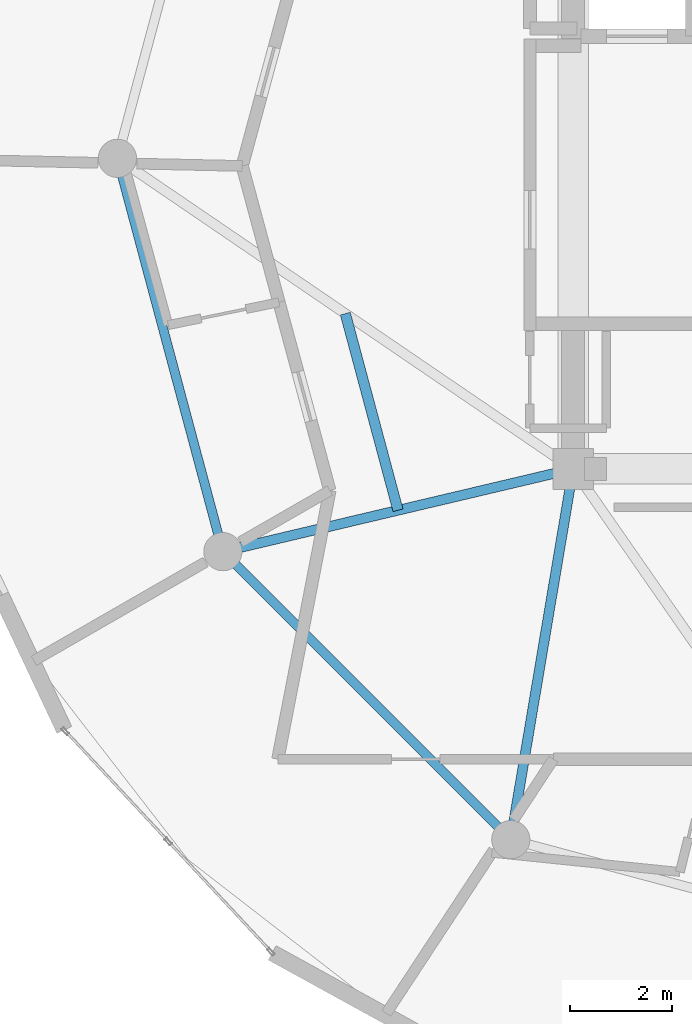
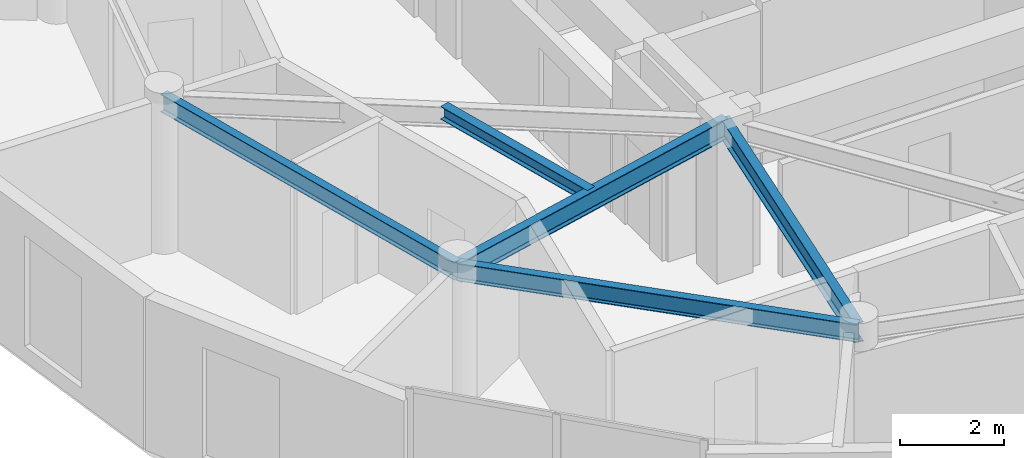
# One storey, part 3 of 23: 5 beams.
"""IFC4 building model written with IfcOpenShell, lengths in metres."""

import ifcopenshell
import ifcopenshell.guid

model = None  # the IFC model being written
_history = None  # IfcOwnerHistory: only IFC2X3 demands one
_inside = {}  # id of a spatial element -> (the spatial element, [elements in it])
_under = {}  # id of a project, library or spatial element -> (it, [spatial elements below it])
_declared = {}  # id of a project -> (the project, [libraries it declares])
_typed = {}  # id of a type object -> (the type object, [elements of that type])
_made_of = {}  # id of a material, layer set ... -> (it, [elements and type objects made of it])


def new_model(schema):
    """Start an empty IFC model of exactly this schema.

    Asked for "IFC4X3", IfcOpenShell would pick the latest addendum, in which some entities
    have other attributes; the version numbers below select the first issue.
    IFC2X3 requires an IfcOwnerHistory on every rooted entity: one is made here for all.
    """
    global model, _history
    if schema == "IFC4X3":
        model = ifcopenshell.file(schema_version=(4, 3, 0, 0))
    else:
        model = ifcopenshell.file(schema=schema)
    _inside.clear()
    _under.clear()
    _declared.clear()
    _typed.clear()
    _made_of.clear()
    _history = None
    if model.schema == "IFC2X3":
        org = make("IfcOrganization", Name="unknown")
        user = make(
            "IfcPersonAndOrganization",
            ThePerson=make("IfcPerson", FamilyName="unknown"),
            TheOrganization=org,
        )
        app = make(
            "IfcApplication",
            ApplicationDeveloper=org,
            Version="unknown",
            ApplicationFullName="unknown",
            ApplicationIdentifier="unknown",
        )
        _history = make(
            "IfcOwnerHistory",
            OwningUser=user,
            OwningApplication=app,
            ChangeAction="ADDED",
            CreationDate=0,
        )
    return model


def make(cls, **values):
    """One entity of the class cls with the attributes given. An attribute that is None is left unset."""
    return model.create_entity(
        cls, **{name: value for name, value in values.items() if value is not None}
    )


def rooted(cls, **values):
    """An entity with a GlobalId (a new one), such as an element, a storey or a relation."""
    return make(cls, GlobalId=ifcopenshell.guid.new(), OwnerHistory=_history, **values)


def si_unit(unit_type, name, prefix=None):
    """IfcSIUnit, for example si_unit("LENGTHUNIT", "METRE", prefix="MILLI")."""
    return make("IfcSIUnit", UnitType=unit_type, Prefix=prefix, Name=name)


def assignment(units):
    """IfcUnitAssignment: the units of a project."""
    return None if units is None else make("IfcUnitAssignment", Units=units)


def point(xyz):
    """IfcCartesianPoint."""
    return None if xyz is None else make("IfcCartesianPoint", Coordinates=xyz)


def direction(xyz):
    """IfcDirection."""
    return None if xyz is None else make("IfcDirection", DirectionRatios=xyz)


def frame(location, z_axis=None, x_axis=None):
    """IfcAxis2Placement3D, a coordinate frame: its origin and axes. An axis left out is left unset."""
    return make(
        "IfcAxis2Placement3D",
        Location=point(location),
        Axis=direction(z_axis),
        RefDirection=direction(x_axis),
    )


def frame_2d(location, x_axis=None):
    """IfcAxis2Placement2D, a coordinate frame in the plane: its origin and x axis."""
    return make(
        "IfcAxis2Placement2D", Location=point(location), RefDirection=direction(x_axis)
    )


def origin():
    """The frame at (0, 0, 0) with its axes left unset."""
    return frame((0.0, 0.0, 0.0))


def origin_2d():
    """The frame at (0, 0) in the plane with its x axis left unset."""
    return frame_2d((0.0, 0.0))


def place(relative_to, where):
    """IfcLocalPlacement: puts the frame where relative to a parent placement (None: the world)."""
    return make(
        "IfcLocalPlacement", PlacementRelTo=relative_to, RelativePlacement=where
    )


def context(
    kind, dimensions, precision=None, world=None, true_north=None, identifier=None
):
    """IfcGeometricRepresentationContext, for example the 3D "Model" context."""
    return make(
        "IfcGeometricRepresentationContext",
        ContextIdentifier=identifier,
        ContextType=kind,
        CoordinateSpaceDimension=dimensions,
        Precision=precision,
        WorldCoordinateSystem=world,
        TrueNorth=true_north,
    )


def subcontext(parent, identifier, kind, view, scale=None):
    """IfcGeometricRepresentationSubContext, for example "Body" below "Model"."""
    return make(
        "IfcGeometricRepresentationSubContext",
        ContextIdentifier=identifier,
        ContextType=kind,
        ParentContext=parent,
        TargetScale=scale,
        TargetView=view,
    )


def project(units=None, contexts=None):
    """IfcProject with its units and contexts."""
    return rooted(
        "IfcProject",
        Name="project",
        RepresentationContexts=contexts,
        UnitsInContext=assignment(units),
    )


def spatial(cls, under=None, at=None, **own):
    """A site, building, storey or space (cls), placed at a placement, below another one or the project."""
    s = rooted(cls, ObjectPlacement=at, **own)
    if under is not None:
        _under.setdefault(under.id(), (under, []))[1].append(s)
    return s


def profile(cls, at=None, kind="AREA", **sizes):
    """A parametric profile (cls). Its sizes go by their IFC names, for example OverallWidth=200.0."""
    return make(cls, ProfileType=kind, Position=at, **sizes)


def i_section(**sizes):
    """IfcIShapeProfileDef."""
    return profile("IfcIShapeProfileDef", **sizes)


def extrude(swept, where, along, depth):
    """IfcExtrudedAreaSolid: the profile swept, set in the frame where, extruded along a direction by depth."""
    return make(
        "IfcExtrudedAreaSolid",
        SweptArea=swept,
        Position=where,
        ExtrudedDirection=direction(along),
        Depth=depth,
    )


def shape(context_of_items, identifier, shape_type, items):
    """IfcShapeRepresentation: the items that make up one representation, for example the "Body"."""
    return make(
        "IfcShapeRepresentation",
        ContextOfItems=context_of_items,
        RepresentationIdentifier=identifier,
        RepresentationType=shape_type,
        Items=items,
    )


def material(Name=None, Category=None):
    """IfcMaterial."""
    return make("IfcMaterial", Name=Name, Category=Category)


def material_profile(
    of_material, cross_section, Name=None, Category=None, Priority=None
):
    """IfcMaterialProfile: a cross section and its material."""
    return make(
        "IfcMaterialProfile",
        Name=Name,
        Material=of_material,
        Profile=cross_section,
        Priority=Priority,
        Category=Category,
    )


def profile_set(profiles, Name=None, composite=None):
    """IfcMaterialProfileSet."""
    return make(
        "IfcMaterialProfileSet",
        Name=Name,
        MaterialProfiles=profiles,
        CompositeProfile=composite,
    )


def made_of(thing, what):
    """Note that an element or type object is made of a material, layer set ...; save() writes the relation."""
    if what is not None:
        _made_of.setdefault(what.id(), (what, []))[1].append(thing)
    return thing


def type_object(cls, material=None, **own):
    """A type object (cls), such as IfcWallType, which elements share."""
    return made_of(rooted(cls, **own), material)


def element(
    cls,
    number,
    at=None,
    inside=None,
    cuts=None,
    type_object=None,
    material=None,
    context=None,
    identifier="Body",
    shape_type=None,
    held_by="IfcProductDefinitionShape",
    body=None,
    shapes=None,
    **own,
):
    """One element of the class cls, such as IfcWall. Its Tag is "e" and its number.

    at: its placement. inside: the storey or other place that contains it. cuts: it is an
    opening in that element (IfcRelVoidsElement). A single representation is given by context,
    identifier, shape_type and body (its items); several are given by shapes. held_by: the class
    of the entity that holds the representations. save() writes the other relations.
    """
    e = rooted(cls, Tag="e%d" % number, ObjectPlacement=at, **own)
    if body is not None:
        shapes = [shape(context, identifier, shape_type, body)]
    if shapes is not None:
        e.Representation = make(held_by, Representations=shapes)
    if inside is not None:
        _inside.setdefault(inside.id(), (inside, []))[1].append(e)
    if cuts is not None:
        rooted(
            "IfcRelVoidsElement", RelatingBuildingElement=cuts, RelatedOpeningElement=e
        )
    if type_object is not None:
        _typed.setdefault(type_object.id(), (type_object, []))[1].append(e)
    return made_of(e, material)


def aggregate(whole, parts):
    """IfcRelAggregates: a whole, such as a stair, and the parts it consists of."""
    return rooted("IfcRelAggregates", RelatingObject=whole, RelatedObjects=parts)


def save(model, path):
    """Write the relations noted so far, then the file.

    IfcRelAggregates (storeys below a building ...), IfcRelContainedInSpatialStructure (elements
    in a storey), IfcRelDefinesByType, IfcRelAssociatesMaterial and IfcRelDeclares: one each for
    every whole, place, type object, material and project.
    """
    for whole, parts in _under.values():
        aggregate(whole, parts)
    for where, things in _inside.values():
        rooted(
            "IfcRelContainedInSpatialStructure",
            RelatedElements=things,
            RelatingStructure=where,
        )
    for kind, things in _typed.values():
        rooted("IfcRelDefinesByType", RelatedObjects=things, RelatingType=kind)
    for what, things in _made_of.values():
        rooted("IfcRelAssociatesMaterial", RelatedObjects=things, RelatingMaterial=what)
    for by, libraries in _declared.values():
        rooted("IfcRelDeclares", RelatingContext=by, RelatedDefinitions=libraries)
    model.write(path)


model = new_model("IFC4")

# Units and contexts
model_context = context("Model", 3, precision=1e-05, world=origin(), true_north=direction((0.0, 1.0)))
body_context = subcontext(model_context, "Body", "Model", "MODEL_VIEW")
ifc_project = project(units=[si_unit("LENGTHUNIT", "METRE"), si_unit("AREAUNIT", "SQUARE_METRE"), si_unit("VOLUMEUNIT", "CUBIC_METRE"), si_unit("PLANEANGLEUNIT", "RADIAN"), si_unit("MASSUNIT", "GRAM", prefix="KILO")], contexts=[model_context])

# Site, building, storey
site_placement = place(None, origin())
site = spatial("IfcSite", under=ifc_project, at=site_placement, CompositionType="ELEMENT")
building_placement = place(site_placement, origin())
building = spatial("IfcBuilding", under=site, at=building_placement, Name="Solvirekh Grand Hotel", CompositionType="ELEMENT")
storey_placement = place(building_placement, frame((0.0, 0.0, 282.0)))
storey = spatial("IfcBuildingStorey", under=building, at=storey_placement, Name="L73", CompositionType="ELEMENT", Elevation=282.0)

# Beams
ifc_material = material(Name="Steel S355", Category="steel")
ifc_material_profile_1 = material_profile(ifc_material, i_section(OverallWidth=0.194091796875, OverallDepth=0.468994140625, WebThickness=0.010986328125, FlangeThickness=0.01904296875, FilletRadius=0.012939453125, at=origin_2d()), Name="W460X106")
ifc_profile_set_1 = profile_set([ifc_material_profile_1], Name="Steel S355")
beam_type_1 = type_object("IfcBeamType", Name="Beam_Radial_W460H", PredefinedType="BEAM", material=ifc_profile_set_1)
beam_1_placement = place(storey_placement, frame((-6.5, -6.10009765625, 3.3349609375), z_axis=(-0.973221147544, -0.229870828888, 0.0), x_axis=(0.229870828888, -0.973221147544, 0.0)))
element("IfcBeam", 1, at=beam_1_placement, inside=storey, type_object=beam_type_1, Name="L73 radial floor beam R08", PredefinedType="BEAM", context=body_context, shape_type="SweptSolid", body=[
    extrude(i_section(OverallWidth=0.194091796875, OverallDepth=0.468994140625, WebThickness=0.010986328125, FlangeThickness=0.01904296875, FilletRadius=0.012939453125, at=origin_2d()), origin(), (0.0, 0.0, 1.0), 7.069091796875),
])
beam_2_placement = place(storey_placement, frame((-6.5, -6.10009765625, 3.3349609375), z_axis=(-0.165954049106, -0.986133486697, 0.0), x_axis=(0.986133486697, -0.165954049106, 0.0)))
element("IfcBeam", 2, at=beam_2_placement, inside=storey, type_object=beam_type_1, Name="L73 radial floor beam R09", PredefinedType="BEAM", context=body_context, shape_type="SweptSolid", body=[
    extrude(i_section(OverallWidth=0.194091796875, OverallDepth=0.468994140625, WebThickness=0.010986328125, FlangeThickness=0.01904296875, FilletRadius=0.012939453125, at=origin_2d()), origin(), (0.0, 0.0, 1.0), 7.382080078125),
])
ifc_material_profile_2 = material_profile(ifc_material, i_section(OverallWidth=0.202880859375, OverallDepth=0.302978515625, WebThickness=0.008056640625, FlangeThickness=0.012939453125, FilletRadius=0.010009765625, at=origin_2d()), Name="W310X60")
ifc_profile_set_2 = profile_set([ifc_material_profile_2], Name="Steel S355")
beam_type_2 = type_object("IfcBeamType", Name="Joist_Floor_W310", PredefinedType="JOIST", material=ifc_profile_set_2)
beam_3_placement = place(storey_placement, frame((-10.97509765625, -3.050048828125, 3.41796875), z_axis=(0.258893772796, -0.965905799966, 0.0), x_axis=(0.965905799966, 0.258893772796, 0.0)))
element("IfcBeam", 3, at=beam_3_placement, inside=storey, type_object=beam_type_2, Name="L73 secondary composite floor joist 7", PredefinedType="JOIST", context=body_context, shape_type="SweptSolid", body=[
    extrude(i_section(OverallWidth=0.202880859375, OverallDepth=0.302978515625, WebThickness=0.008056640625, FlangeThickness=0.012939453125, FilletRadius=0.010009765625, at=origin_2d()), origin(), (0.0, 0.0, 1.0), 3.998291015625),
])
ifc_material_profile_3 = material_profile(ifc_material, i_section(OverallWidth=0.180908203125, OverallDepth=0.4169921875, WebThickness=0.010009765625, FlangeThickness=0.01611328125, FilletRadius=0.011962890625, at=origin_2d()), Name="W410X85")
ifc_profile_set_3 = profile_set([ifc_material_profile_3], Name="Steel S355")
beam_type_3 = type_object("IfcBeamType", Name="Spandrel_Ring_W410", PredefinedType="SPANDREL", material=ifc_profile_set_3)
beam_4_placement = place(storey_placement, frame((-15.449951171875, 0.0, 3.361083984375), z_axis=(0.258834757072, -0.965921616143, 0.0), x_axis=(0.965921616143, 0.258834757072, 0.0)))
element("IfcBeam", 4, at=beam_4_placement, inside=storey, type_object=beam_type_3, Name="L73 perimeter spandrel beam 7", PredefinedType="SPANDREL", context=body_context, shape_type="SweptSolid", body=[
    extrude(i_section(OverallWidth=0.180908203125, OverallDepth=0.4169921875, WebThickness=0.010009765625, FlangeThickness=0.01611328125, FilletRadius=0.011962890625, at=origin_2d()), origin(), (0.0, 0.0, 1.0), 7.99755859375),
])
beam_5_placement = place(storey_placement, frame((-13.3798828125, -7.72509765625, 3.361083984375), z_axis=(0.707106781187, -0.707106781187, 0.0), x_axis=(0.707106781187, 0.707106781187, 0.0)))
element("IfcBeam", 5, at=beam_5_placement, inside=storey, type_object=beam_type_3, Name="L73 perimeter spandrel beam 8", PredefinedType="SPANDREL", context=body_context, shape_type="SweptSolid", body=[
    extrude(i_section(OverallWidth=0.180908203125, OverallDepth=0.4169921875, WebThickness=0.010009765625, FlangeThickness=0.01611328125, FilletRadius=0.011962890625, at=origin_2d()), origin(), (0.0, 0.0, 1.0), 7.9970703125),
])

save(model, "model.ifc")
